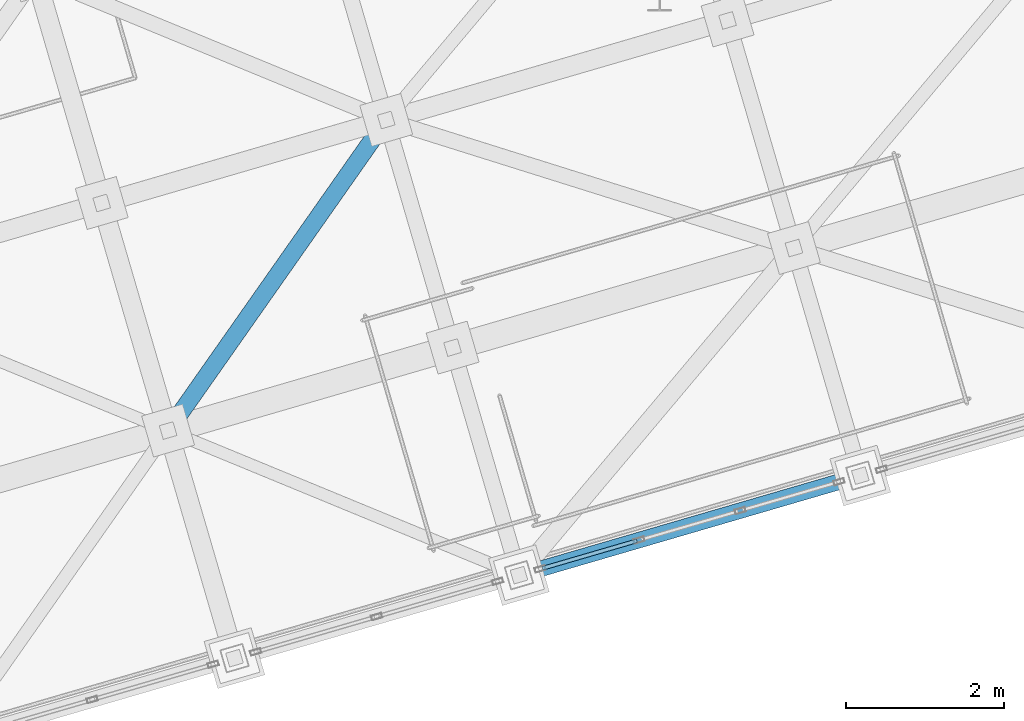
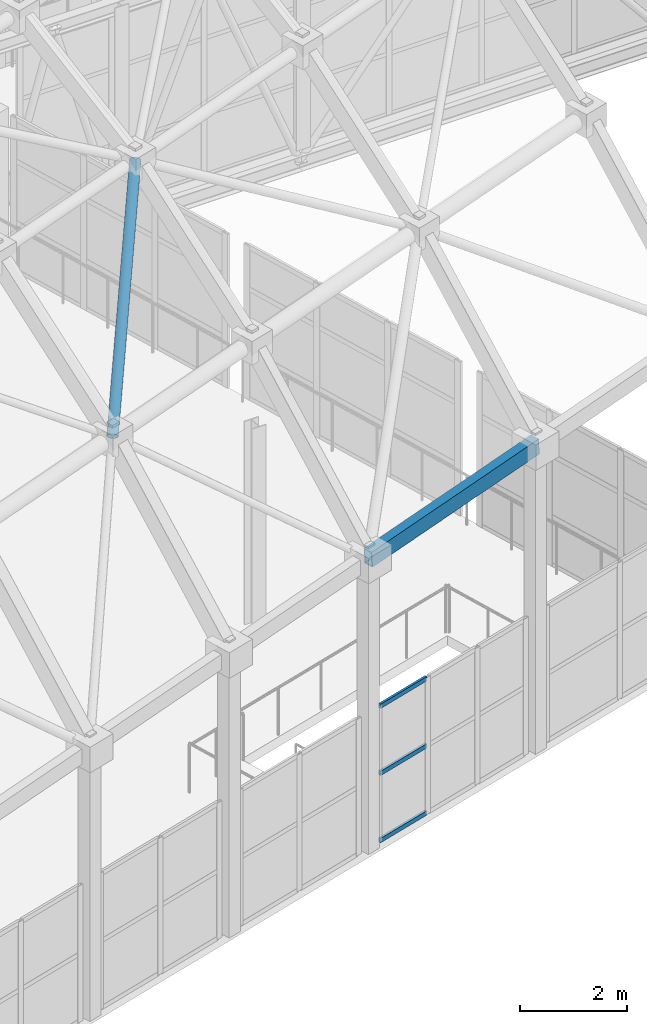
# One storey, part 68 of 248: 4 members, 1 beam, 1 element without a shape of its own.
"""IFC4 building model written with IfcOpenShell, lengths in metres."""

from ifc_helpers import new_model, si_unit, direction, frame, origin, origin_2d, place, context, subcontext, project, spatial, hollow_rectangle, hollow_circle, extrude, material, layer, layer_set, material_profile, profile_set, type_object, element, aggregate, save


model = new_model("IFC4")

# Units and contexts
model_context = context("Model", 3, precision=1e-05, world=origin(), true_north=direction((0.0, 1.0)))
body_context = subcontext(model_context, "Body", "Model", "MODEL_VIEW")
ifc_project = project(units=[si_unit("LENGTHUNIT", "METRE"), si_unit("AREAUNIT", "SQUARE_METRE"), si_unit("VOLUMEUNIT", "CUBIC_METRE"), si_unit("PLANEANGLEUNIT", "RADIAN"), si_unit("MASSUNIT", "GRAM", prefix="KILO")], contexts=[model_context])

# Site, building, storey
site_placement = place(None, origin())
site = spatial("IfcSite", under=ifc_project, at=site_placement, CompositionType="ELEMENT")
building_placement = place(site_placement, origin())
building = spatial("IfcBuilding", under=site, at=building_placement, Name="Canggui Botanical Conservatory", CompositionType="ELEMENT")
storey_placement = place(building_placement, frame((0.0, 0.0, 5.39990234375)))
storey = spatial("IfcBuildingStorey", under=building, at=storey_placement, Name="L02", CompositionType="ELEMENT", Elevation=5.39990234375)

# Beam
ifc_material_1 = material(Name="Steel Q355C", Category="steel")
ifc_material_profile_1 = material_profile(ifc_material_1, hollow_rectangle(XDim=0.199951171875, YDim=0.35009765625, WallThickness=0.011962890625, at=origin_2d()), Name="RHS 200x350x12")
ifc_profile_set_1 = profile_set([ifc_material_profile_1], Name="Steel Q355C")
beam_type = type_object("IfcBeamType", Name="BM-RING01", PredefinedType="BEAM", material=ifc_profile_set_1)
beam_placement = place(storey_placement, frame((63.199951171875, 54.60009765625, 6.60009765625), z_axis=(0.957873732332, 0.279377583078, 0.066528783105), x_axis=(-0.279997916698, 0.960000607627, 0.0)))
element("IfcBeam", 1, at=beam_placement, inside=storey, type_object=beam_type, Name="Conservatory Perimeter Ring Beam V0-13", PredefinedType="BEAM", context=body_context, shape_type="SweptSolid", body=[
    extrude(hollow_rectangle(XDim=0.199951171875, YDim=0.35009765625, WallThickness=0.011962890625, at=origin_2d()), origin(), (0.0, 0.0, 1.0), 4.510009765625),
])

# Curtain wall, members
ifc_material_2 = material(Name="Thermally Broken Aluminium", Category="aluminium")
ifc_layer = layer(ifc_material_2, 0.135009765625, Name="Thermally Broken Aluminium", Category="aluminium")
ifc_layer_set = layer_set([ifc_layer], Name="Thermally Broken Aluminium")
curtain_wall_type = type_object("IfcCurtainWallType", Name="CW-STICK-A", PredefinedType="USERDEFINED", material=ifc_layer_set)
curtain_wall_placement = place(storey_placement, origin())
curtain_wall = element("IfcCurtainWall", 2, at=curtain_wall_placement, inside=storey, type_object=curtain_wall_type, Name="Facade Curtain Wall CW-CONS-L02-V0-13", ObjectType="STICK GLAZED WALL", PredefinedType="USERDEFINED")
ifc_material_profile_2 = material_profile(ifc_material_2, hollow_rectangle(XDim=0.050048828125, YDim=0.10009765625, WallThickness=0.0029296875, at=origin_2d()), Name="CWT 50x100x3")
ifc_profile_set_2 = profile_set([ifc_material_profile_2], Name="Thermally Broken Aluminium")
member_type_1 = type_object("IfcMemberType", Name="CWT-04", PredefinedType="USERDEFINED", material=ifc_profile_set_2)
member_1_placement = place(storey_placement, frame((64.691162109375, 55.034912109375, 0.025146484375), z_axis=(-0.959997800753, -0.280007540166, 0.0), x_axis=(0.280007540166, -0.959997800753, 0.0)))
member_1 = element("IfcMember", 3, at=member_1_placement, type_object=member_type_1, Name="CW-04 transom 3.1", ObjectType="TRANSOM", PredefinedType="USERDEFINED", context=body_context, shape_type="SweptSolid", body=[
    extrude(hollow_rectangle(XDim=0.050048828125, YDim=0.10009765625, WallThickness=0.0029296875, at=origin_2d()), origin(), (0.0, 0.0, 1.0), 1.243408203125),
])
member_2_placement = place(storey_placement, frame((64.691162109375, 55.034912109375, 1.550048828125), z_axis=(-0.959997800753, -0.280007540166, 0.0), x_axis=(0.280007540166, -0.959997800753, 0.0)))
member_2 = element("IfcMember", 4, at=member_2_placement, type_object=member_type_1, Name="CW-04 transom 3.2", ObjectType="TRANSOM", PredefinedType="USERDEFINED", context=body_context, shape_type="SweptSolid", body=[
    extrude(hollow_rectangle(XDim=0.050048828125, YDim=0.10009765625, WallThickness=0.0029296875, at=origin_2d()), origin(), (0.0, 0.0, 1.0), 1.243408203125),
])
member_3_placement = place(storey_placement, frame((64.691162109375, 55.034912109375, 3.0751953125), z_axis=(-0.959997800753, -0.280007540166, 0.0), x_axis=(0.280007540166, -0.959997800753, 0.0)))
member_3 = element("IfcMember", 5, at=member_3_placement, type_object=member_type_1, Name="CW-04 transom 3.3", ObjectType="TRANSOM", PredefinedType="USERDEFINED", context=body_context, shape_type="SweptSolid", body=[
    extrude(hollow_rectangle(XDim=0.050048828125, YDim=0.10009765625, WallThickness=0.0029296875, at=origin_2d()), origin(), (0.0, 0.0, 1.0), 1.243408203125),
])
aggregate(curtain_wall, [member_1, member_2, member_3])

# Member
ifc_material_profile_3 = material_profile(ifc_material_1, hollow_circle(Radius=0.109619140625, WallThickness=0.008056640625, at=origin_2d()), Name="CHS 219x8")
ifc_profile_set_3 = profile_set([ifc_material_profile_3], Name="Steel Q355C")
member_type_2 = type_object("IfcMemberType", Name="MEM-GSD01", PredefinedType="RAFTER", material=ifc_profile_set_3)
member_4_placement = place(storey_placement, frame((58.760009765625, 56.429931640625, 9.80615234375), z_axis=(0.49024183756, 0.69809049987, 0.521854955612), x_axis=(-0.818361645525, 0.574703590674, 0.0)))
element("IfcMember", 6, at=member_4_placement, inside=storey, type_object=member_type_2, Name="Conservatory Gridshell Diagrid Rafter 12-2", PredefinedType="RAFTER", context=body_context, shape_type="SweptSolid", body=[
    extrude(hollow_circle(Radius=0.109619140625, WallThickness=0.008056640625, at=origin_2d()), origin(), (0.0, 0.0, 1.0), 5.6298828125),
])

save(model, "model.ifc")
